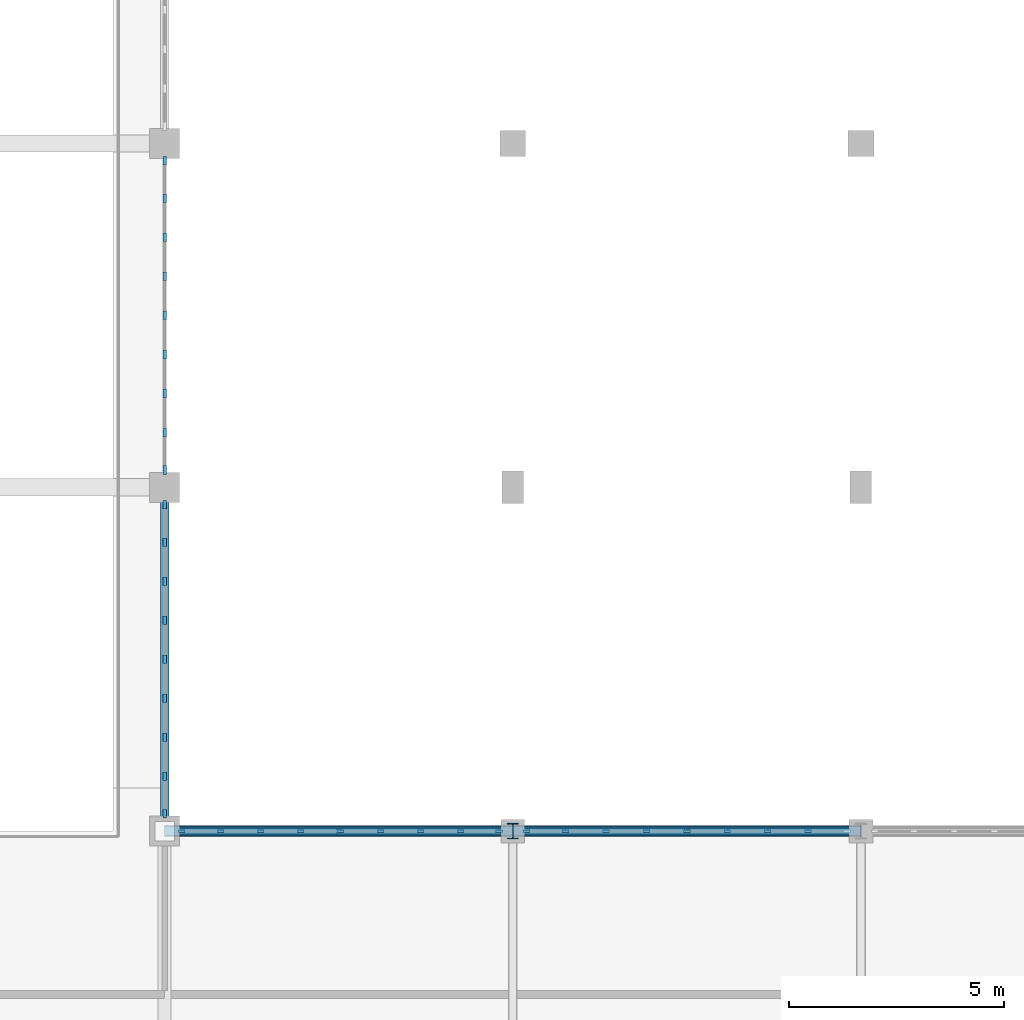
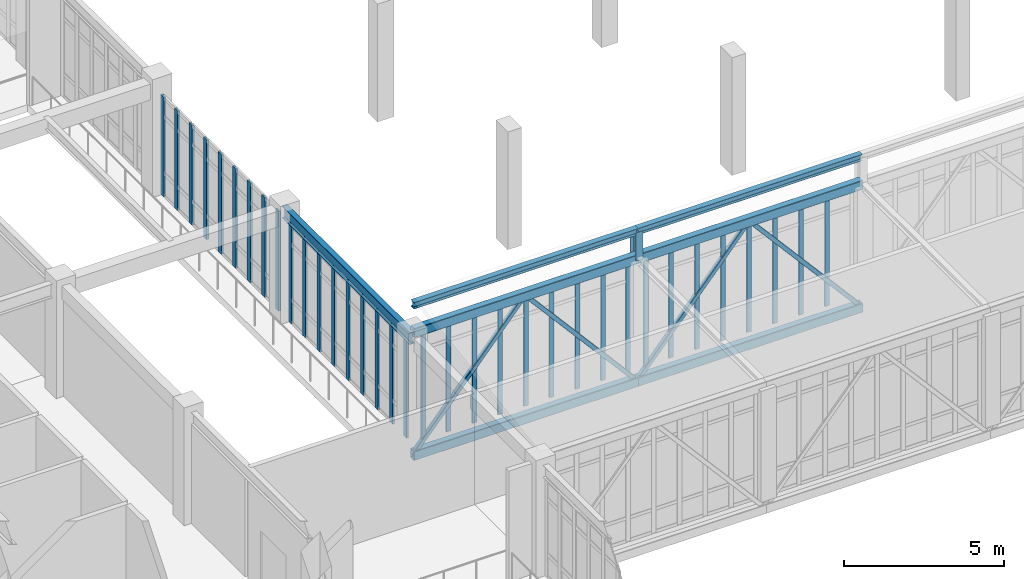
# One storey, part 11 of 67: 44 members, 3 beams, 4 elements without a shape of their own.
"""IFC4 building model written with IfcOpenShell, lengths in metres."""

from ifc_helpers import new_model, si_unit, direction, frame, origin, origin_2d, place, context, subcontext, project, spatial, rectangle, hollow_rectangle, i_section, extrude, material, material_profile, profile_set, type_object, element, aggregate, save


model = new_model("IFC4")

# Units and contexts
model_context = context("Model", 3, precision=1e-05, world=origin(), true_north=direction((0.0, 1.0)))
body_context = subcontext(model_context, "Body", "Model", "MODEL_VIEW")
ifc_project = project(units=[si_unit("LENGTHUNIT", "METRE"), si_unit("AREAUNIT", "SQUARE_METRE"), si_unit("VOLUMEUNIT", "CUBIC_METRE"), si_unit("PLANEANGLEUNIT", "RADIAN"), si_unit("MASSUNIT", "GRAM", prefix="KILO")], contexts=[model_context])

# Site, building, storey
site_placement = place(None, origin())
site = spatial("IfcSite", under=ifc_project, at=site_placement, CompositionType="ELEMENT")
building_placement = place(site_placement, origin())
building = spatial("IfcBuilding", under=site, at=building_placement, Name="Tarnveldt Square Police Headquarters", CompositionType="ELEMENT")
storey_placement = place(building_placement, frame((0.0, 0.0, 10.199951171875)))
storey = spatial("IfcBuildingStorey", under=building, at=storey_placement, Name="L02", CompositionType="ELEMENT", Elevation=10.199951171875)

# Beams
ifc_material_1 = material(Name="Steel 350W", Category="steel")
ifc_material_profile_1 = material_profile(ifc_material_1, i_section(OverallWidth=0.202880859375, OverallDepth=0.251953125, WebThickness=0.008056640625, FlangeThickness=0.013427734375, FilletRadius=0.012939453125, at=origin_2d()), Name="W250x58")
ifc_profile_set_1 = profile_set([ifc_material_profile_1], Name="Steel 350W")
beam_type_1 = type_object("IfcBeamType", Name="BM-W250x58", PredefinedType="BEAM", material=ifc_profile_set_1)
beam_1_placement = place(storey_placement, frame((48.60009765625, 64.0, 5.2900390625), z_axis=(1.0, 0.0, 0.0), x_axis=(0.0, 1.0, 0.0)))
element("IfcBeam", 1, at=beam_1_placement, inside=storey, type_object=beam_type_1, Name="Skybridge SBS High Eave Beam 1", PredefinedType="BEAM", context=body_context, shape_type="SweptSolid", body=[
    extrude(i_section(OverallWidth=0.202880859375, OverallDepth=0.251953125, WebThickness=0.008056640625, FlangeThickness=0.013427734375, FilletRadius=0.012939453125, at=origin_2d()), origin(), (0.0, 0.0, 1.0), 8.099853515625),
])
beam_2_placement = place(storey_placement, frame((56.699951171875, 64.0, 5.2900390625), z_axis=(1.0, 0.0, 0.0), x_axis=(0.0, 1.0, 0.0)))
element("IfcBeam", 2, at=beam_2_placement, inside=storey, type_object=beam_type_1, Name="Skybridge SBS High Eave Beam 2", PredefinedType="BEAM", context=body_context, shape_type="SweptSolid", body=[
    extrude(i_section(OverallWidth=0.202880859375, OverallDepth=0.251953125, WebThickness=0.008056640625, FlangeThickness=0.013427734375, FilletRadius=0.012939453125, at=origin_2d()), origin(), (0.0, 0.0, 1.0), 8.10009765625),
])
ifc_material_profile_2 = material_profile(ifc_material_1, i_section(OverallWidth=0.19189453125, OverallDepth=0.462890625, WebThickness=0.010498046875, FlangeThickness=0.017578125, FilletRadius=0.01806640625, at=origin_2d()), Name="W460x89")
ifc_profile_set_2 = profile_set([ifc_material_profile_2], Name="Steel 350W")
beam_type_2 = type_object("IfcBeamType", Name="BM-W460x89", PredefinedType="BEAM", material=ifc_profile_set_2)
beam_3_placement = place(storey_placement, frame((48.60009765625, 64.0, 4.008544921875), z_axis=(0.0, 1.0, 0.0), x_axis=(-1.0, 0.0, 0.0)))
element("IfcBeam", 3, at=beam_3_placement, inside=storey, type_object=beam_type_2, Name="L03 Grid Girder Y-0779", PredefinedType="BEAM", context=body_context, shape_type="SweptSolid", body=[
    extrude(i_section(OverallWidth=0.19189453125, OverallDepth=0.462890625, WebThickness=0.010498046875, FlangeThickness=0.017578125, FilletRadius=0.01806640625, at=origin_2d()), origin(), (0.0, 0.0, 1.0), 8.0),
])

# Curtain wall, members
ifc_material_2 = material(Name="Triple-glazed low-e laminated vision glass", Category="glass")
curtain_wall_type_1 = type_object("IfcCurtainWallType", Name="CW-SB-744x424", PredefinedType="USERDEFINED", material=ifc_material_2)
curtain_wall_1_placement = place(storey_placement, origin())
curtain_wall_1 = element("IfcCurtainWall", 4, at=curtain_wall_1_placement, inside=storey, type_object=curtain_wall_type_1, Name="L02 Curtain Wall CW-L02-145", ObjectType="GLAZED CURTAIN WALL", PredefinedType="USERDEFINED")
ifc_material_3 = material(Name="Thermally broken anodised aluminium 6063-T6", Category="aluminium")
ifc_material_profile_3 = material_profile(ifc_material_3, rectangle(XDim=0.06494140625, YDim=0.159912109375, at=origin_2d()), Name="CW-M65x160")
ifc_profile_set_3 = profile_set([ifc_material_profile_3], Name="Thermally broken anodised aluminium 6063-T6")
member_type_1 = type_object("IfcMemberType", Name="CWM-65x160", PredefinedType="MULLION", material=ifc_profile_set_3)
member_1_placement = place(storey_placement, frame((48.99755859375, 64.0, 0.0), z_axis=(0.0, 0.0, 1.0), x_axis=(0.0, 1.0, 0.0)))
member_1 = element("IfcMember", 5, at=member_1_placement, type_object=member_type_1, Name="CW-SB85 mullion 1", PredefinedType="MULLION", context=body_context, shape_type="SweptSolid", body=[
    extrude(rectangle(XDim=0.06494140625, YDim=0.159912109375, at=origin_2d()), origin(), (0.0, 0.0, 1.0), 4.239990234375),
])
member_2_placement = place(storey_placement, frame((49.8955078125, 64.0, 0.0), z_axis=(0.0, 0.0, 1.0), x_axis=(0.0, 1.0, 0.0)))
member_2 = element("IfcMember", 6, at=member_2_placement, type_object=member_type_1, Name="CW-SB85 mullion 2", PredefinedType="MULLION", context=body_context, shape_type="SweptSolid", body=[
    extrude(rectangle(XDim=0.06494140625, YDim=0.159912109375, at=origin_2d()), origin(), (0.0, 0.0, 1.0), 4.239990234375),
])
member_3_placement = place(storey_placement, frame((50.826171875, 64.0, 0.0), z_axis=(0.0, 0.0, 1.0), x_axis=(0.0, 1.0, 0.0)))
member_3 = element("IfcMember", 7, at=member_3_placement, type_object=member_type_1, Name="CW-SB85 mullion 3", PredefinedType="MULLION", context=body_context, shape_type="SweptSolid", body=[
    extrude(rectangle(XDim=0.06494140625, YDim=0.159912109375, at=origin_2d()), origin(), (0.0, 0.0, 1.0), 4.239990234375),
])
member_4_placement = place(storey_placement, frame((51.7568359375, 64.0, 0.0), z_axis=(0.0, 0.0, 1.0), x_axis=(0.0, 1.0, 0.0)))
member_4 = element("IfcMember", 8, at=member_4_placement, type_object=member_type_1, Name="CW-SB85 mullion 4", PredefinedType="MULLION", context=body_context, shape_type="SweptSolid", body=[
    extrude(rectangle(XDim=0.06494140625, YDim=0.159912109375, at=origin_2d()), origin(), (0.0, 0.0, 1.0), 4.239990234375),
])
member_5_placement = place(storey_placement, frame((52.6875, 64.0, 0.0), z_axis=(0.0, 0.0, 1.0), x_axis=(0.0, 1.0, 0.0)))
member_5 = element("IfcMember", 9, at=member_5_placement, type_object=member_type_1, Name="CW-SB85 mullion 5", PredefinedType="MULLION", context=body_context, shape_type="SweptSolid", body=[
    extrude(rectangle(XDim=0.06494140625, YDim=0.159912109375, at=origin_2d()), origin(), (0.0, 0.0, 1.0), 4.239990234375),
])
member_6_placement = place(storey_placement, frame((53.6181640625, 64.0, 0.0), z_axis=(0.0, 0.0, 1.0), x_axis=(0.0, 1.0, 0.0)))
member_6 = element("IfcMember", 10, at=member_6_placement, type_object=member_type_1, Name="CW-SB85 mullion 6", PredefinedType="MULLION", context=body_context, shape_type="SweptSolid", body=[
    extrude(rectangle(XDim=0.06494140625, YDim=0.159912109375, at=origin_2d()), origin(), (0.0, 0.0, 1.0), 4.239990234375),
])
member_7_placement = place(storey_placement, frame((54.548828125, 64.0, 0.0), z_axis=(0.0, 0.0, 1.0), x_axis=(0.0, 1.0, 0.0)))
member_7 = element("IfcMember", 11, at=member_7_placement, type_object=member_type_1, Name="CW-SB85 mullion 7", PredefinedType="MULLION", context=body_context, shape_type="SweptSolid", body=[
    extrude(rectangle(XDim=0.06494140625, YDim=0.159912109375, at=origin_2d()), origin(), (0.0, 0.0, 1.0), 4.239990234375),
])
member_8_placement = place(storey_placement, frame((55.4794921875, 64.0, 0.0), z_axis=(0.0, 0.0, 1.0), x_axis=(0.0, 1.0, 0.0)))
member_8 = element("IfcMember", 12, at=member_8_placement, type_object=member_type_1, Name="CW-SB85 mullion 8", PredefinedType="MULLION", context=body_context, shape_type="SweptSolid", body=[
    extrude(rectangle(XDim=0.06494140625, YDim=0.159912109375, at=origin_2d()), origin(), (0.0, 0.0, 1.0), 4.239990234375),
])
member_9_placement = place(storey_placement, frame((56.37744140625, 64.0, 0.0), z_axis=(0.0, 0.0, 1.0), x_axis=(0.0, 1.0, 0.0)))
member_9 = element("IfcMember", 13, at=member_9_placement, type_object=member_type_1, Name="CW-SB85 mullion 9", PredefinedType="MULLION", context=body_context, shape_type="SweptSolid", body=[
    extrude(rectangle(XDim=0.06494140625, YDim=0.159912109375, at=origin_2d()), origin(), (0.0, 0.0, 1.0), 4.239990234375),
])
aggregate(curtain_wall_1, [member_1, member_2, member_3, member_4, member_5, member_6, member_7, member_8, member_9])

curtain_wall_type_2 = type_object("IfcCurtainWallType", Name="CW-SB-752x424", PredefinedType="USERDEFINED", material=ifc_material_2)
curtain_wall_2_placement = place(storey_placement, origin())
curtain_wall_2 = element("IfcCurtainWall", 14, at=curtain_wall_2_placement, inside=storey, type_object=curtain_wall_type_2, Name="L02 Curtain Wall CW-L02-146", ObjectType="GLAZED CURTAIN WALL", PredefinedType="USERDEFINED")
member_10_placement = place(storey_placement, frame((57.0224609375, 64.0, 0.0), z_axis=(0.0, 0.0, 1.0), x_axis=(0.0, 1.0, 0.0)))
member_10 = element("IfcMember", 15, at=member_10_placement, type_object=member_type_1, Name="CW-SB86 mullion 1", PredefinedType="MULLION", context=body_context, shape_type="SweptSolid", body=[
    extrude(rectangle(XDim=0.06494140625, YDim=0.159912109375, at=origin_2d()), origin(), (0.0, 0.0, 1.0), 4.239990234375),
])
member_11_placement = place(storey_placement, frame((57.929931640625, 64.0, 0.0), z_axis=(0.0, 0.0, 1.0), x_axis=(0.0, 1.0, 0.0)))
member_11 = element("IfcMember", 16, at=member_11_placement, type_object=member_type_1, Name="CW-SB86 mullion 2", PredefinedType="MULLION", context=body_context, shape_type="SweptSolid", body=[
    extrude(rectangle(XDim=0.06494140625, YDim=0.159912109375, at=origin_2d()), origin(), (0.0, 0.0, 1.0), 4.239990234375),
])
member_12_placement = place(storey_placement, frame((58.8701171875, 64.0, 0.0), z_axis=(0.0, 0.0, 1.0), x_axis=(0.0, 1.0, 0.0)))
member_12 = element("IfcMember", 17, at=member_12_placement, type_object=member_type_1, Name="CW-SB86 mullion 3", PredefinedType="MULLION", context=body_context, shape_type="SweptSolid", body=[
    extrude(rectangle(XDim=0.06494140625, YDim=0.159912109375, at=origin_2d()), origin(), (0.0, 0.0, 1.0), 4.239990234375),
])
member_13_placement = place(storey_placement, frame((59.81005859375, 64.0, 0.0), z_axis=(0.0, 0.0, 1.0), x_axis=(0.0, 1.0, 0.0)))
member_13 = element("IfcMember", 18, at=member_13_placement, type_object=member_type_1, Name="CW-SB86 mullion 4", PredefinedType="MULLION", context=body_context, shape_type="SweptSolid", body=[
    extrude(rectangle(XDim=0.06494140625, YDim=0.159912109375, at=origin_2d()), origin(), (0.0, 0.0, 1.0), 4.239990234375),
])
member_14_placement = place(storey_placement, frame((60.75, 64.0, 0.0), z_axis=(0.0, 0.0, 1.0), x_axis=(0.0, 1.0, 0.0)))
member_14 = element("IfcMember", 19, at=member_14_placement, type_object=member_type_1, Name="CW-SB86 mullion 5", PredefinedType="MULLION", context=body_context, shape_type="SweptSolid", body=[
    extrude(rectangle(XDim=0.06494140625, YDim=0.159912109375, at=origin_2d()), origin(), (0.0, 0.0, 1.0), 4.239990234375),
])
member_15_placement = place(storey_placement, frame((61.68994140625, 64.0, 0.0), z_axis=(0.0, 0.0, 1.0), x_axis=(0.0, 1.0, 0.0)))
member_15 = element("IfcMember", 20, at=member_15_placement, type_object=member_type_1, Name="CW-SB86 mullion 6", PredefinedType="MULLION", context=body_context, shape_type="SweptSolid", body=[
    extrude(rectangle(XDim=0.06494140625, YDim=0.159912109375, at=origin_2d()), origin(), (0.0, 0.0, 1.0), 4.239990234375),
])
member_16_placement = place(storey_placement, frame((62.6298828125, 64.0, 0.0), z_axis=(0.0, 0.0, 1.0), x_axis=(0.0, 1.0, 0.0)))
member_16 = element("IfcMember", 21, at=member_16_placement, type_object=member_type_1, Name="CW-SB86 mullion 7", PredefinedType="MULLION", context=body_context, shape_type="SweptSolid", body=[
    extrude(rectangle(XDim=0.06494140625, YDim=0.159912109375, at=origin_2d()), origin(), (0.0, 0.0, 1.0), 4.239990234375),
])
member_17_placement = place(storey_placement, frame((63.570068359375, 64.0, 0.0), z_axis=(0.0, 0.0, 1.0), x_axis=(0.0, 1.0, 0.0)))
member_17 = element("IfcMember", 22, at=member_17_placement, type_object=member_type_1, Name="CW-SB86 mullion 8", PredefinedType="MULLION", context=body_context, shape_type="SweptSolid", body=[
    extrude(rectangle(XDim=0.06494140625, YDim=0.159912109375, at=origin_2d()), origin(), (0.0, 0.0, 1.0), 4.239990234375),
])
aggregate(curtain_wall_2, [member_10, member_11, member_12, member_13, member_14, member_15, member_16, member_17])

curtain_wall_type_3 = type_object("IfcCurtainWallType", Name="CW-WG-727x377", PredefinedType="USERDEFINED", material=ifc_material_2)
curtain_wall_3_placement = place(storey_placement, origin())
curtain_wall_3 = element("IfcCurtainWall", 23, at=curtain_wall_3_placement, inside=storey, type_object=curtain_wall_type_3, Name="L02 Curtain Wall CW-L02-074", ObjectType="GLAZED CURTAIN WALL", PredefinedType="USERDEFINED")
ifc_material_profile_4 = material_profile(ifc_material_3, rectangle(XDim=0.074951171875, YDim=0.199951171875, at=origin_2d()), Name="CW-M75x200")
ifc_profile_set_4 = profile_set([ifc_material_profile_4], Name="Thermally broken anodised aluminium 6063-T6")
member_type_2 = type_object("IfcMemberType", Name="CWM-75x200", PredefinedType="MULLION", material=ifc_profile_set_4)
member_18_placement = place(storey_placement, frame((48.60009765625, 64.402587890625, 0.0), z_axis=(0.0, 0.0, 1.0), x_axis=(-1.0, 0.0, 0.0)))
member_18 = element("IfcMember", 24, at=member_18_placement, type_object=member_type_2, Name="CW-WG34 mullion 1", PredefinedType="MULLION", context=body_context, shape_type="SweptSolid", body=[
    extrude(rectangle(XDim=0.074951171875, YDim=0.199951171875, at=origin_2d()), origin(), (0.0, 0.0, 1.0), 3.76904296875),
])
member_19_placement = place(storey_placement, frame((48.60009765625, 65.273681640625, 0.0), z_axis=(0.0, 0.0, 1.0), x_axis=(-1.0, 0.0, 0.0)))
member_19 = element("IfcMember", 25, at=member_19_placement, type_object=member_type_2, Name="CW-WG34 mullion 2", PredefinedType="MULLION", context=body_context, shape_type="SweptSolid", body=[
    extrude(rectangle(XDim=0.074951171875, YDim=0.199951171875, at=origin_2d()), origin(), (0.0, 0.0, 1.0), 3.76904296875),
])
member_20_placement = place(storey_placement, frame((48.60009765625, 66.1826171875, 0.0), z_axis=(0.0, 0.0, 1.0), x_axis=(-1.0, 0.0, 0.0)))
member_20 = element("IfcMember", 26, at=member_20_placement, type_object=member_type_2, Name="CW-WG34 mullion 3", PredefinedType="MULLION", context=body_context, shape_type="SweptSolid", body=[
    extrude(rectangle(XDim=0.074951171875, YDim=0.199951171875, at=origin_2d()), origin(), (0.0, 0.0, 1.0), 3.76904296875),
])
member_21_placement = place(storey_placement, frame((48.60009765625, 67.09130859375, 0.0), z_axis=(0.0, 0.0, 1.0), x_axis=(-1.0, 0.0, 0.0)))
member_21 = element("IfcMember", 27, at=member_21_placement, type_object=member_type_2, Name="CW-WG34 mullion 4", PredefinedType="MULLION", context=body_context, shape_type="SweptSolid", body=[
    extrude(rectangle(XDim=0.074951171875, YDim=0.199951171875, at=origin_2d()), origin(), (0.0, 0.0, 1.0), 3.76904296875),
])
member_22_placement = place(storey_placement, frame((48.60009765625, 68.0, 0.0), z_axis=(0.0, 0.0, 1.0), x_axis=(-1.0, 0.0, 0.0)))
member_22 = element("IfcMember", 28, at=member_22_placement, type_object=member_type_2, Name="CW-WG34 mullion 5", PredefinedType="MULLION", context=body_context, shape_type="SweptSolid", body=[
    extrude(rectangle(XDim=0.074951171875, YDim=0.199951171875, at=origin_2d()), origin(), (0.0, 0.0, 1.0), 3.76904296875),
])
member_23_placement = place(storey_placement, frame((48.60009765625, 68.90869140625, 0.0), z_axis=(0.0, 0.0, 1.0), x_axis=(-1.0, 0.0, 0.0)))
member_23 = element("IfcMember", 29, at=member_23_placement, type_object=member_type_2, Name="CW-WG34 mullion 6", PredefinedType="MULLION", context=body_context, shape_type="SweptSolid", body=[
    extrude(rectangle(XDim=0.074951171875, YDim=0.199951171875, at=origin_2d()), origin(), (0.0, 0.0, 1.0), 3.76904296875),
])
member_24_placement = place(storey_placement, frame((48.60009765625, 69.8173828125, 0.0), z_axis=(0.0, 0.0, 1.0), x_axis=(-1.0, 0.0, 0.0)))
member_24 = element("IfcMember", 30, at=member_24_placement, type_object=member_type_2, Name="CW-WG34 mullion 7", PredefinedType="MULLION", context=body_context, shape_type="SweptSolid", body=[
    extrude(rectangle(XDim=0.074951171875, YDim=0.199951171875, at=origin_2d()), origin(), (0.0, 0.0, 1.0), 3.76904296875),
])
member_25_placement = place(storey_placement, frame((48.60009765625, 70.726318359375, 0.0), z_axis=(0.0, 0.0, 1.0), x_axis=(-1.0, 0.0, 0.0)))
member_25 = element("IfcMember", 31, at=member_25_placement, type_object=member_type_2, Name="CW-WG34 mullion 8", PredefinedType="MULLION", context=body_context, shape_type="SweptSolid", body=[
    extrude(rectangle(XDim=0.074951171875, YDim=0.199951171875, at=origin_2d()), origin(), (0.0, 0.0, 1.0), 3.76904296875),
])
member_26_placement = place(storey_placement, frame((48.60009765625, 71.597412109375, 0.0), z_axis=(0.0, 0.0, 1.0), x_axis=(-1.0, 0.0, 0.0)))
member_26 = element("IfcMember", 32, at=member_26_placement, type_object=member_type_2, Name="CW-WG34 mullion 9", PredefinedType="MULLION", context=body_context, shape_type="SweptSolid", body=[
    extrude(rectangle(XDim=0.074951171875, YDim=0.199951171875, at=origin_2d()), origin(), (0.0, 0.0, 1.0), 3.76904296875),
])
aggregate(curtain_wall_3, [member_18, member_19, member_20, member_21, member_22, member_23, member_24, member_25, member_26])

curtain_wall_type_4 = type_object("IfcCurtainWallType", Name="CW-WG-727x382", PredefinedType="USERDEFINED", material=ifc_material_2)
curtain_wall_4_placement = place(storey_placement, origin())
curtain_wall_4 = element("IfcCurtainWall", 33, at=curtain_wall_4_placement, inside=storey, type_object=curtain_wall_type_4, Name="L02 Curtain Wall CW-L02-075", ObjectType="GLAZED CURTAIN WALL", PredefinedType="USERDEFINED")
member_27_placement = place(storey_placement, frame((48.60009765625, 72.402587890625, 0.0), z_axis=(0.0, 0.0, 1.0), x_axis=(-1.0, 0.0, 0.0)))
member_27 = element("IfcMember", 34, at=member_27_placement, type_object=member_type_2, Name="CW-WG35 mullion 1", PredefinedType="MULLION", context=body_context, shape_type="SweptSolid", body=[
    extrude(rectangle(XDim=0.074951171875, YDim=0.199951171875, at=origin_2d()), origin(), (0.0, 0.0, 1.0), 3.81494140625),
])
member_28_placement = place(storey_placement, frame((48.60009765625, 73.273681640625, 0.0), z_axis=(0.0, 0.0, 1.0), x_axis=(-1.0, 0.0, 0.0)))
member_28 = element("IfcMember", 35, at=member_28_placement, type_object=member_type_2, Name="CW-WG35 mullion 2", PredefinedType="MULLION", context=body_context, shape_type="SweptSolid", body=[
    extrude(rectangle(XDim=0.074951171875, YDim=0.199951171875, at=origin_2d()), origin(), (0.0, 0.0, 1.0), 3.81494140625),
])
member_29_placement = place(storey_placement, frame((48.60009765625, 74.1826171875, 0.0), z_axis=(0.0, 0.0, 1.0), x_axis=(-1.0, 0.0, 0.0)))
member_29 = element("IfcMember", 36, at=member_29_placement, type_object=member_type_2, Name="CW-WG35 mullion 3", PredefinedType="MULLION", context=body_context, shape_type="SweptSolid", body=[
    extrude(rectangle(XDim=0.074951171875, YDim=0.199951171875, at=origin_2d()), origin(), (0.0, 0.0, 1.0), 3.81494140625),
])
member_30_placement = place(storey_placement, frame((48.60009765625, 75.09130859375, 0.0), z_axis=(0.0, 0.0, 1.0), x_axis=(-1.0, 0.0, 0.0)))
member_30 = element("IfcMember", 37, at=member_30_placement, type_object=member_type_2, Name="CW-WG35 mullion 4", PredefinedType="MULLION", context=body_context, shape_type="SweptSolid", body=[
    extrude(rectangle(XDim=0.074951171875, YDim=0.199951171875, at=origin_2d()), origin(), (0.0, 0.0, 1.0), 3.81494140625),
])
member_31_placement = place(storey_placement, frame((48.60009765625, 76.0, 0.0), z_axis=(0.0, 0.0, 1.0), x_axis=(-1.0, 0.0, 0.0)))
member_31 = element("IfcMember", 38, at=member_31_placement, type_object=member_type_2, Name="CW-WG35 mullion 5", PredefinedType="MULLION", context=body_context, shape_type="SweptSolid", body=[
    extrude(rectangle(XDim=0.074951171875, YDim=0.199951171875, at=origin_2d()), origin(), (0.0, 0.0, 1.0), 3.81494140625),
])
member_32_placement = place(storey_placement, frame((48.60009765625, 76.90869140625, 0.0), z_axis=(0.0, 0.0, 1.0), x_axis=(-1.0, 0.0, 0.0)))
member_32 = element("IfcMember", 39, at=member_32_placement, type_object=member_type_2, Name="CW-WG35 mullion 6", PredefinedType="MULLION", context=body_context, shape_type="SweptSolid", body=[
    extrude(rectangle(XDim=0.074951171875, YDim=0.199951171875, at=origin_2d()), origin(), (0.0, 0.0, 1.0), 3.81494140625),
])
member_33_placement = place(storey_placement, frame((48.60009765625, 77.8173828125, 0.0), z_axis=(0.0, 0.0, 1.0), x_axis=(-1.0, 0.0, 0.0)))
member_33 = element("IfcMember", 40, at=member_33_placement, type_object=member_type_2, Name="CW-WG35 mullion 7", PredefinedType="MULLION", context=body_context, shape_type="SweptSolid", body=[
    extrude(rectangle(XDim=0.074951171875, YDim=0.199951171875, at=origin_2d()), origin(), (0.0, 0.0, 1.0), 3.81494140625),
])
member_34_placement = place(storey_placement, frame((48.60009765625, 78.726318359375, 0.0), z_axis=(0.0, 0.0, 1.0), x_axis=(-1.0, 0.0, 0.0)))
member_34 = element("IfcMember", 41, at=member_34_placement, type_object=member_type_2, Name="CW-WG35 mullion 8", PredefinedType="MULLION", context=body_context, shape_type="SweptSolid", body=[
    extrude(rectangle(XDim=0.074951171875, YDim=0.199951171875, at=origin_2d()), origin(), (0.0, 0.0, 1.0), 3.81494140625),
])
member_35_placement = place(storey_placement, frame((48.60009765625, 79.597412109375, 0.0), z_axis=(0.0, 0.0, 1.0), x_axis=(-1.0, 0.0, 0.0)))
member_35 = element("IfcMember", 42, at=member_35_placement, type_object=member_type_2, Name="CW-WG35 mullion 9", PredefinedType="MULLION", context=body_context, shape_type="SweptSolid", body=[
    extrude(rectangle(XDim=0.074951171875, YDim=0.199951171875, at=origin_2d()), origin(), (0.0, 0.0, 1.0), 3.81494140625),
])
aggregate(curtain_wall_4, [member_27, member_28, member_29, member_30, member_31, member_32, member_33, member_34, member_35])

# Members
ifc_material_profile_5 = material_profile(ifc_material_1, i_section(OverallWidth=0.257080078125, OverallDepth=0.363037109375, WebThickness=0.012939453125, FlangeThickness=0.021728515625, FilletRadius=0.01611328125, at=origin_2d()), Name="W360x122")
ifc_profile_set_5 = profile_set([ifc_material_profile_5], Name="Steel 350W")
member_type_3 = type_object("IfcMemberType", Name="MEM-CT-POST", PredefinedType="STRUT", material=ifc_profile_set_5)
member_36_placement = place(storey_placement, frame((56.699951171875, 64.0, 4.25), z_axis=(0.0, 0.0, 1.0), x_axis=(1.0, 0.0, 0.0)))
element("IfcMember", 43, at=member_36_placement, inside=storey, type_object=member_type_3, Name="Skybridge SBS Roof Post 2", PredefinedType="STRUT", context=body_context, shape_type="SweptSolid", body=[
    extrude(i_section(OverallWidth=0.257080078125, OverallDepth=0.363037109375, WebThickness=0.012939453125, FlangeThickness=0.021728515625, FilletRadius=0.01611328125, at=origin_2d()), origin(), (0.0, 0.0, 1.0), 1.080078125),
])
ifc_material_profile_6 = material_profile(ifc_material_1, hollow_rectangle(XDim=0.25390625, YDim=0.355712890625, WallThickness=0.015869140625, InnerFilletRadius=0.015869140625, OuterFilletRadius=0.03173828125, at=origin_2d()), Name="HSS356x254x16")
ifc_profile_set_6 = profile_set([ifc_material_profile_6], Name="Steel 350W")
member_type_4 = type_object("IfcMemberType", Name="MEM-SB-CHORD", PredefinedType="CHORD", material=ifc_profile_set_6)
for number, where, z_axis, x_axis, name in (
    (44, (48.60009765625, 64.0, -0.43994140625), (1.0, 0.0, 0.0), (0.0, 1.0, 0.0), "Skybridge SBS Bottom Chord N1"),
    (45, (48.60009765625, 64.0, 4.25), (1.0, 0.0, 0.0), (0.0, 1.0, 0.0), "Skybridge SBS Top Chord N1"),
):
    element("IfcMember", number, at=place(storey_placement, frame(where, z_axis=z_axis, x_axis=x_axis)), inside=storey, type_object=member_type_4, Name=name, PredefinedType="CHORD", context=body_context, shape_type="SweptSolid", body=[
        extrude(hollow_rectangle(XDim=0.25390625, YDim=0.355712890625, WallThickness=0.015869140625, InnerFilletRadius=0.015869140625, OuterFilletRadius=0.03173828125, at=origin_2d()), origin(), (0.0, 0.0, 1.0), 8.099853515625),
    ])
for number, where, z_axis, x_axis, name in (
    (46, (56.699951171875, 64.0, -0.43994140625), (1.0, 0.0, 0.0), (0.0, 1.0, 0.0), "Skybridge SBS Bottom Chord N2"),
    (47, (56.699951171875, 64.0, 4.25), (1.0, 0.0, 0.0), (0.0, 1.0, 0.0), "Skybridge SBS Top Chord N2"),
):
    element("IfcMember", number, at=place(storey_placement, frame(where, z_axis=z_axis, x_axis=x_axis)), inside=storey, type_object=member_type_4, Name=name, PredefinedType="CHORD", context=body_context, shape_type="SweptSolid", body=[
        extrude(hollow_rectangle(XDim=0.25390625, YDim=0.355712890625, WallThickness=0.015869140625, InnerFilletRadius=0.015869140625, OuterFilletRadius=0.03173828125, at=origin_2d()), origin(), (0.0, 0.0, 1.0), 8.10009765625),
    ])
ifc_material_profile_7 = material_profile(ifc_material_1, hollow_rectangle(XDim=0.15234375, YDim=0.15234375, WallThickness=0.009521484375, InnerFilletRadius=0.009521484375, OuterFilletRadius=0.01904296875, at=origin_2d()), Name="HSS152x152x9.5")
ifc_profile_set_7 = profile_set([ifc_material_profile_7], Name="Steel 350W")
member_type_5 = type_object("IfcMemberType", Name="MEM-SB-WEB", PredefinedType="BRACE", material=ifc_profile_set_7)
for number, where, z_axis, x_axis, name in (
    (48, (48.60009765625, 64.0, -0.43994140625), (0.65356447569, 0.0, 0.756870845069), (0.0, 1.0, 0.0), "Skybridge SBS Web A1"),
    (49, (56.699951171875, 64.0, -0.43994140625), (-0.653587045151, 0.0, 0.756851355558), (0.0, -1.0, 0.0), "Skybridge SBS Web B1"),
    (50, (56.699951171875, 64.0, -0.43994140625), (0.653587045151, 0.0, 0.756851355558), (0.0, 1.0, 0.0), "Skybridge SBS Web A2"),
    (51, (64.800048828125, 64.0, -0.43994140625), (-0.653587045151, 0.0, 0.756851355558), (0.0, -1.0, 0.0), "Skybridge SBS Web B2"),
):
    element("IfcMember", number, at=place(storey_placement, frame(where, z_axis=z_axis, x_axis=x_axis)), inside=storey, type_object=member_type_5, Name=name, PredefinedType="BRACE", context=body_context, shape_type="SweptSolid", body=[
        extrude(hollow_rectangle(XDim=0.15234375, YDim=0.15234375, WallThickness=0.009521484375, InnerFilletRadius=0.009521484375, OuterFilletRadius=0.01904296875, at=origin_2d()), origin(), (0.0, 0.0, 1.0), 6.196533203125),
    ])

save(model, "model.ifc")
